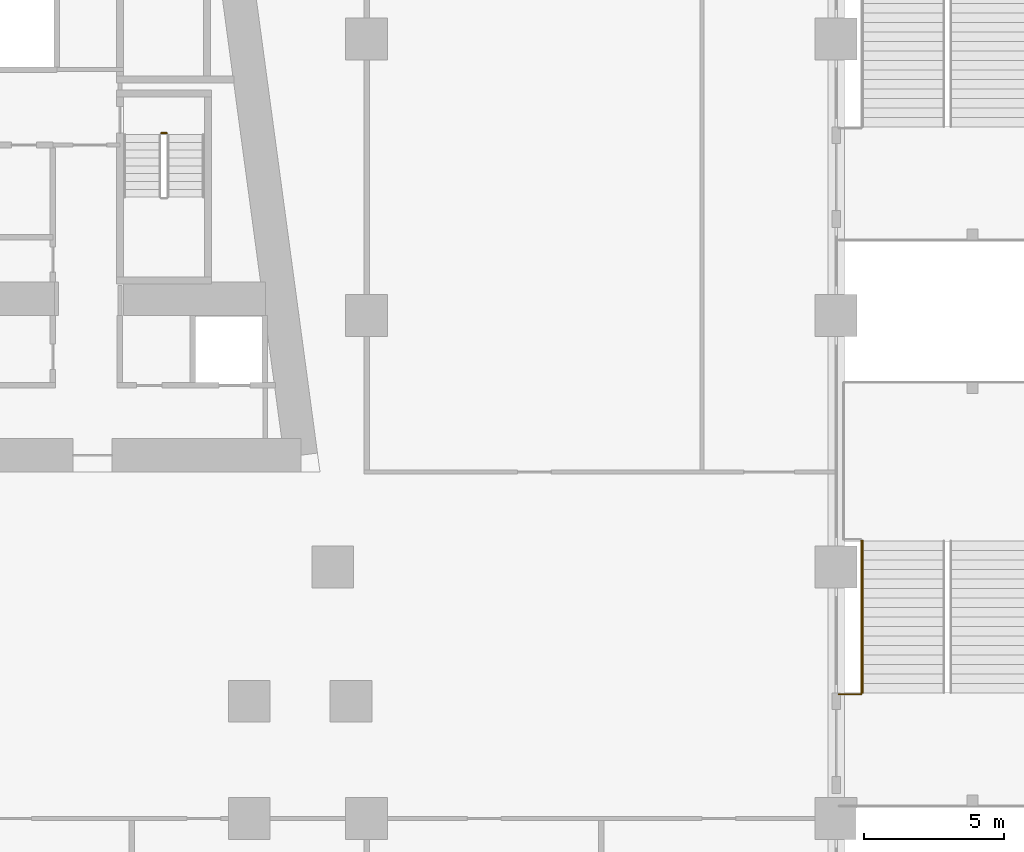
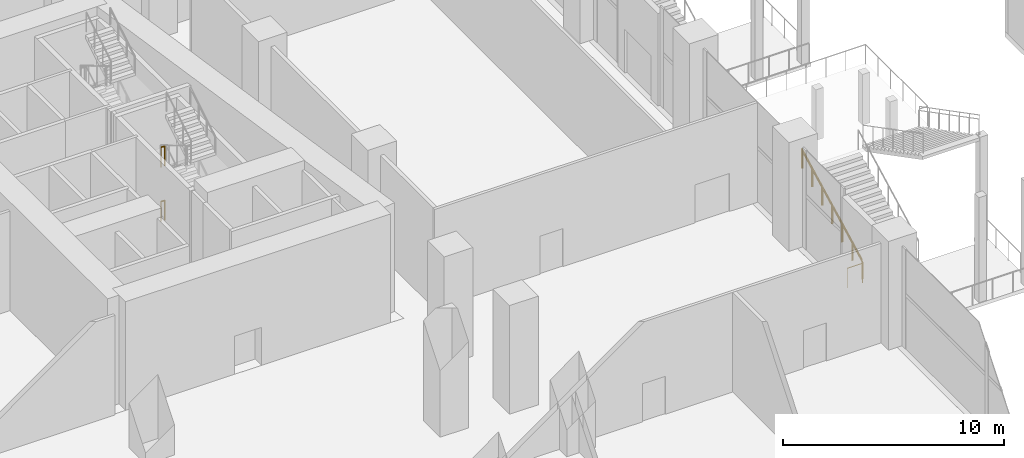
# One storey, part 37 of 47: 5 railings.
"""IFC4 building model written with IfcOpenShell, lengths in metres."""

from ifc_helpers import new_model, si_unit, direction, frame, origin, origin_2d, place, context, subcontext, project, spatial, circle, extrude, material, type_object, element, save


model = new_model("IFC4")

# Units and contexts
model_context = context("Model", 3, precision=1e-05, world=origin(), true_north=direction((0.0, 1.0)))
body_context = subcontext(model_context, "Body", "Model", "MODEL_VIEW")
ifc_project = project(units=[si_unit("LENGTHUNIT", "METRE"), si_unit("AREAUNIT", "SQUARE_METRE"), si_unit("VOLUMEUNIT", "CUBIC_METRE"), si_unit("PLANEANGLEUNIT", "RADIAN"), si_unit("MASSUNIT", "GRAM", prefix="KILO")], contexts=[model_context])

# Site, building, storey
site_placement = place(None, origin())
site = spatial("IfcSite", under=ifc_project, at=site_placement, CompositionType="ELEMENT")
building_placement = place(site_placement, origin())
building = spatial("IfcBuilding", under=site, at=building_placement, Name="Candeia Pilgrim Tower and Theatre", CompositionType="ELEMENT")
storey_placement = place(building_placement, frame((0.0, 0.0, 23.0)))
storey = spatial("IfcBuildingStorey", under=building, at=storey_placement, Name="L03", CompositionType="ELEMENT", Elevation=23.0)

# Railings
ifc_material_1 = material(Name="Stainless steel balustrade", Category="steel")
railing_type_1 = type_object("IfcRailingType", Name="RL-GUARD-1100", PredefinedType="GUARDRAIL", material=ifc_material_1)
for number, where, name in (
    (1, (135.447998046875, 122.52490234375, 3.0), "L03 ST3 stair guard 2"),
    (2, (135.447998046875, 122.52490234375, 0.0), "L03 ST3 stair guard 4"),
):
    element("IfcRailing", number, at=place(storey_placement, frame(where)), inside=storey, type_object=railing_type_1, Name=name, PredefinedType="GUARDRAIL", context=body_context, shape_type="SweptSolid", body=[
        extrude(circle(Radius=0.02392578125, at=origin_2d()), frame((0.0, 0.0, 1.076171875), z_axis=(1.0, 0.0, 0.0), x_axis=(0.0, 1.0, 0.0)), (0.0, 0.0, 1.0), 0.199951171875),
        extrude(circle(Radius=0.02099609375, at=origin_2d()), origin(), (0.0, 0.0, 1.0), 1.052001953125),
        extrude(circle(Radius=0.02099609375, at=origin_2d()), frame((0.199951171875, 0.0, 0.0)), (0.0, 0.0, 1.0), 1.052001953125),
    ])
railing_1_placement = place(storey_placement, frame((160.5, 102.5, 0.176513671875)))
element("IfcRailing", 3, at=railing_1_placement, inside=storey, type_object=railing_type_1, Name="L03 ES1 stair guard 3", PredefinedType="GUARDRAIL", context=body_context, shape_type="SweptSolid", body=[
    extrude(circle(Radius=0.02392578125, at=origin_2d()), frame((0.0, 0.0, 1.076171875), z_axis=(0.0, 0.887569374008, 0.460674078198), x_axis=(-1.0, 0.0, 0.0)), (0.0, 0.0, 1.0), 6.129150390625),
    extrude(circle(Radius=0.02099609375, at=origin_2d()), origin(), (0.0, 0.0, 1.0), 1.052001953125),
    extrude(circle(Radius=0.02099609375, at=origin_2d()), frame((0.0, 0.90673828125, 0.470703125)), (0.0, 0.0, 1.0), 1.052001953125),
    extrude(circle(Radius=0.02099609375, at=origin_2d()), frame((0.0, 1.813232421875, 0.941162109375)), (0.0, 0.0, 1.0), 1.052001953125),
    extrude(circle(Radius=0.02099609375, at=origin_2d()), frame((0.0, 2.719970703125, 1.41162109375)), (0.0, 0.0, 1.0), 1.052001953125),
    extrude(circle(Radius=0.02099609375, at=origin_2d()), frame((0.0, 3.626708984375, 1.88232421875)), (0.0, 0.0, 1.0), 1.052001953125),
    extrude(circle(Radius=0.02099609375, at=origin_2d()), frame((0.0, 4.533203125, 2.35302734375)), (0.0, 0.0, 1.0), 1.052001953125),
    extrude(circle(Radius=0.02099609375, at=origin_2d()), frame((0.0, 5.43994140625, 2.823486328125)), (0.0, 0.0, 1.0), 1.052001953125),
])
railing_2_placement = place(storey_placement, frame((159.699951171875, 102.449951171875, 0.0)))
element("IfcRailing", 4, at=railing_2_placement, inside=storey, type_object=railing_type_1, Name="L03 External escape stair ES1 bridge guard", PredefinedType="GUARDRAIL", context=body_context, shape_type="SweptSolid", body=[
    extrude(circle(Radius=0.02392578125, at=origin_2d()), frame((0.0, 0.0, 1.076171875), z_axis=(1.0, 0.0, 0.0), x_axis=(0.0, 1.0, 0.0)), (0.0, 0.0, 1.0), 0.800048828125),
    extrude(circle(Radius=0.02099609375, at=origin_2d()), origin(), (0.0, 0.0, 1.0), 1.052001953125),
    extrude(circle(Radius=0.02099609375, at=origin_2d()), frame((0.800048828125, 0.0, 0.0)), (0.0, 0.0, 1.0), 1.052001953125),
])
ifc_material_2 = material(Name="Stainless steel handrail", Category="steel")
railing_type_2 = type_object("IfcRailingType", Name="RL-HANDRAIL-900", PredefinedType="HANDRAIL", material=ifc_material_2)
railing_3_placement = place(storey_placement, frame((160.550048828125, 102.5, 0.176513671875)))
element("IfcRailing", 5, at=railing_3_placement, inside=storey, type_object=railing_type_2, Name="L03 ES1 stair handrail 1", PredefinedType="HANDRAIL", context=body_context, shape_type="SweptSolid", body=[
    extrude(circle(Radius=0.02392578125, at=origin_2d()), frame((0.0, 0.0, 0.8759765625), z_axis=(0.0, 0.887569374008, 0.460674078198), x_axis=(-1.0, 0.0, 0.0)), (0.0, 0.0, 1.0), 6.129150390625),
    extrude(circle(Radius=0.02099609375, at=origin_2d()), origin(), (0.0, 0.0, 1.0), 0.851806640625),
    extrude(circle(Radius=0.02099609375, at=origin_2d()), frame((0.0, 0.90673828125, 0.470703125)), (0.0, 0.0, 1.0), 0.851806640625),
    extrude(circle(Radius=0.02099609375, at=origin_2d()), frame((0.0, 1.813232421875, 0.941162109375)), (0.0, 0.0, 1.0), 0.851806640625),
    extrude(circle(Radius=0.02099609375, at=origin_2d()), frame((0.0, 2.719970703125, 1.41162109375)), (0.0, 0.0, 1.0), 0.851806640625),
    extrude(circle(Radius=0.02099609375, at=origin_2d()), frame((0.0, 3.626708984375, 1.88232421875)), (0.0, 0.0, 1.0), 0.851806640625),
    extrude(circle(Radius=0.02099609375, at=origin_2d()), frame((0.0, 4.533203125, 2.35302734375)), (0.0, 0.0, 1.0), 0.851806640625),
    extrude(circle(Radius=0.02099609375, at=origin_2d()), frame((0.0, 5.43994140625, 2.823486328125)), (0.0, 0.0, 1.0), 0.851806640625),
])

save(model, "model.ifc")
